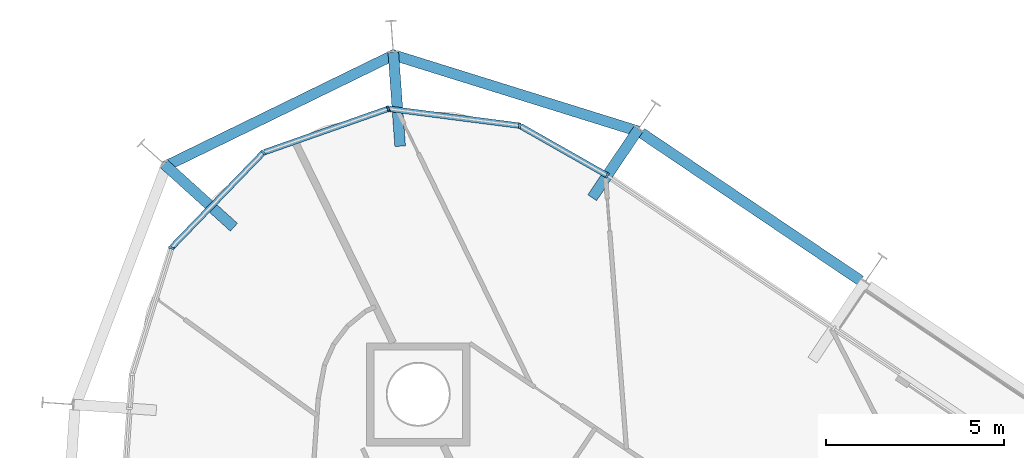
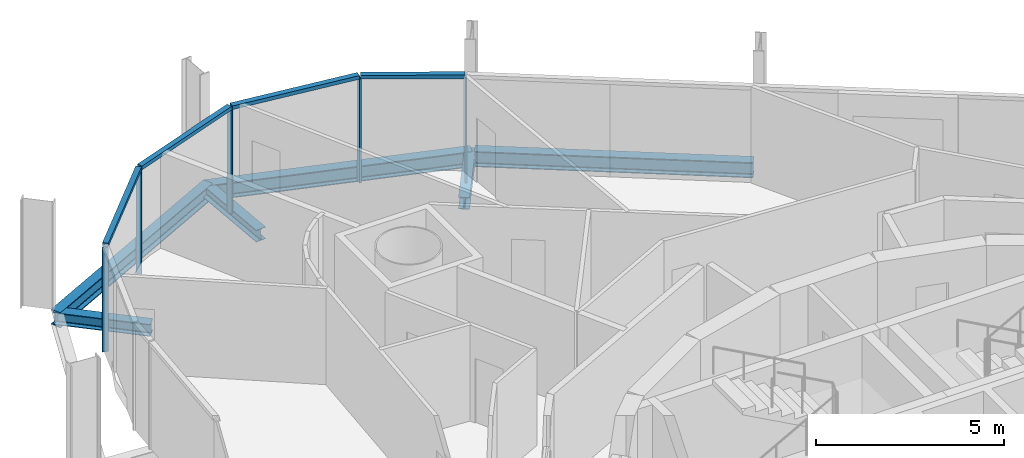
# One storey, part 8 of 17: 9 members, 6 beams, 1 element without a shape of its own.
"""IFC4 building model written with IfcOpenShell, lengths in metres."""

import ifcopenshell
import ifcopenshell.guid

model = None  # the IFC model being written
_history = None  # IfcOwnerHistory: only IFC2X3 demands one
_inside = {}  # id of a spatial element -> (the spatial element, [elements in it])
_under = {}  # id of a project, library or spatial element -> (it, [spatial elements below it])
_declared = {}  # id of a project -> (the project, [libraries it declares])
_typed = {}  # id of a type object -> (the type object, [elements of that type])
_made_of = {}  # id of a material, layer set ... -> (it, [elements and type objects made of it])


def new_model(schema):
    """Start an empty IFC model of exactly this schema.

    Asked for "IFC4X3", IfcOpenShell would pick the latest addendum, in which some entities
    have other attributes; the version numbers below select the first issue.
    IFC2X3 requires an IfcOwnerHistory on every rooted entity: one is made here for all.
    """
    global model, _history
    if schema == "IFC4X3":
        model = ifcopenshell.file(schema_version=(4, 3, 0, 0))
    else:
        model = ifcopenshell.file(schema=schema)
    _inside.clear()
    _under.clear()
    _declared.clear()
    _typed.clear()
    _made_of.clear()
    _history = None
    if model.schema == "IFC2X3":
        org = make("IfcOrganization", Name="unknown")
        user = make(
            "IfcPersonAndOrganization",
            ThePerson=make("IfcPerson", FamilyName="unknown"),
            TheOrganization=org,
        )
        app = make(
            "IfcApplication",
            ApplicationDeveloper=org,
            Version="unknown",
            ApplicationFullName="unknown",
            ApplicationIdentifier="unknown",
        )
        _history = make(
            "IfcOwnerHistory",
            OwningUser=user,
            OwningApplication=app,
            ChangeAction="ADDED",
            CreationDate=0,
        )
    return model


def make(cls, **values):
    """One entity of the class cls with the attributes given. An attribute that is None is left unset."""
    return model.create_entity(
        cls, **{name: value for name, value in values.items() if value is not None}
    )


def rooted(cls, **values):
    """An entity with a GlobalId (a new one), such as an element, a storey or a relation."""
    return make(cls, GlobalId=ifcopenshell.guid.new(), OwnerHistory=_history, **values)


def si_unit(unit_type, name, prefix=None):
    """IfcSIUnit, for example si_unit("LENGTHUNIT", "METRE", prefix="MILLI")."""
    return make("IfcSIUnit", UnitType=unit_type, Prefix=prefix, Name=name)


def assignment(units):
    """IfcUnitAssignment: the units of a project."""
    return None if units is None else make("IfcUnitAssignment", Units=units)


def point(xyz):
    """IfcCartesianPoint."""
    return None if xyz is None else make("IfcCartesianPoint", Coordinates=xyz)


def direction(xyz):
    """IfcDirection."""
    return None if xyz is None else make("IfcDirection", DirectionRatios=xyz)


def frame(location, z_axis=None, x_axis=None):
    """IfcAxis2Placement3D, a coordinate frame: its origin and axes. An axis left out is left unset."""
    return make(
        "IfcAxis2Placement3D",
        Location=point(location),
        Axis=direction(z_axis),
        RefDirection=direction(x_axis),
    )


def frame_2d(location, x_axis=None):
    """IfcAxis2Placement2D, a coordinate frame in the plane: its origin and x axis."""
    return make(
        "IfcAxis2Placement2D", Location=point(location), RefDirection=direction(x_axis)
    )


def origin():
    """The frame at (0, 0, 0) with its axes left unset."""
    return frame((0.0, 0.0, 0.0))


def origin_2d():
    """The frame at (0, 0) in the plane with its x axis left unset."""
    return frame_2d((0.0, 0.0))


def place(relative_to, where):
    """IfcLocalPlacement: puts the frame where relative to a parent placement (None: the world)."""
    return make(
        "IfcLocalPlacement", PlacementRelTo=relative_to, RelativePlacement=where
    )


def context(
    kind, dimensions, precision=None, world=None, true_north=None, identifier=None
):
    """IfcGeometricRepresentationContext, for example the 3D "Model" context."""
    return make(
        "IfcGeometricRepresentationContext",
        ContextIdentifier=identifier,
        ContextType=kind,
        CoordinateSpaceDimension=dimensions,
        Precision=precision,
        WorldCoordinateSystem=world,
        TrueNorth=true_north,
    )


def subcontext(parent, identifier, kind, view, scale=None):
    """IfcGeometricRepresentationSubContext, for example "Body" below "Model"."""
    return make(
        "IfcGeometricRepresentationSubContext",
        ContextIdentifier=identifier,
        ContextType=kind,
        ParentContext=parent,
        TargetScale=scale,
        TargetView=view,
    )


def project(units=None, contexts=None):
    """IfcProject with its units and contexts."""
    return rooted(
        "IfcProject",
        Name="project",
        RepresentationContexts=contexts,
        UnitsInContext=assignment(units),
    )


def spatial(cls, under=None, at=None, **own):
    """A site, building, storey or space (cls), placed at a placement, below another one or the project."""
    s = rooted(cls, ObjectPlacement=at, **own)
    if under is not None:
        _under.setdefault(under.id(), (under, []))[1].append(s)
    return s


def profile(cls, at=None, kind="AREA", **sizes):
    """A parametric profile (cls). Its sizes go by their IFC names, for example OverallWidth=200.0."""
    return make(cls, ProfileType=kind, Position=at, **sizes)


def rectangle(**sizes):
    """IfcRectangleProfileDef."""
    return profile("IfcRectangleProfileDef", **sizes)


def i_section(**sizes):
    """IfcIShapeProfileDef."""
    return profile("IfcIShapeProfileDef", **sizes)


def extrude(swept, where, along, depth):
    """IfcExtrudedAreaSolid: the profile swept, set in the frame where, extruded along a direction by depth."""
    return make(
        "IfcExtrudedAreaSolid",
        SweptArea=swept,
        Position=where,
        ExtrudedDirection=direction(along),
        Depth=depth,
    )


def shape(context_of_items, identifier, shape_type, items):
    """IfcShapeRepresentation: the items that make up one representation, for example the "Body"."""
    return make(
        "IfcShapeRepresentation",
        ContextOfItems=context_of_items,
        RepresentationIdentifier=identifier,
        RepresentationType=shape_type,
        Items=items,
    )


def material(Name=None, Category=None):
    """IfcMaterial."""
    return make("IfcMaterial", Name=Name, Category=Category)


def layer(
    of_material, thickness, ventilated=None, Name=None, Category=None, Priority=None
):
    """IfcMaterialLayer: one layer of a wall or slab, of a material (None: an air gap)."""
    return make(
        "IfcMaterialLayer",
        Material=of_material,
        LayerThickness=thickness,
        IsVentilated=ventilated,
        Name=Name,
        Category=Category,
        Priority=Priority,
    )


def layer_set(layers, Name=None):
    """IfcMaterialLayerSet."""
    return make("IfcMaterialLayerSet", MaterialLayers=layers, LayerSetName=Name)


def material_profile(
    of_material, cross_section, Name=None, Category=None, Priority=None
):
    """IfcMaterialProfile: a cross section and its material."""
    return make(
        "IfcMaterialProfile",
        Name=Name,
        Material=of_material,
        Profile=cross_section,
        Priority=Priority,
        Category=Category,
    )


def profile_set(profiles, Name=None, composite=None):
    """IfcMaterialProfileSet."""
    return make(
        "IfcMaterialProfileSet",
        Name=Name,
        MaterialProfiles=profiles,
        CompositeProfile=composite,
    )


def made_of(thing, what):
    """Note that an element or type object is made of a material, layer set ...; save() writes the relation."""
    if what is not None:
        _made_of.setdefault(what.id(), (what, []))[1].append(thing)
    return thing


def type_object(cls, material=None, **own):
    """A type object (cls), such as IfcWallType, which elements share."""
    return made_of(rooted(cls, **own), material)


def element(
    cls,
    number,
    at=None,
    inside=None,
    cuts=None,
    type_object=None,
    material=None,
    context=None,
    identifier="Body",
    shape_type=None,
    held_by="IfcProductDefinitionShape",
    body=None,
    shapes=None,
    **own,
):
    """One element of the class cls, such as IfcWall. Its Tag is "e" and its number.

    at: its placement. inside: the storey or other place that contains it. cuts: it is an
    opening in that element (IfcRelVoidsElement). A single representation is given by context,
    identifier, shape_type and body (its items); several are given by shapes. held_by: the class
    of the entity that holds the representations. save() writes the other relations.
    """
    e = rooted(cls, Tag="e%d" % number, ObjectPlacement=at, **own)
    if body is not None:
        shapes = [shape(context, identifier, shape_type, body)]
    if shapes is not None:
        e.Representation = make(held_by, Representations=shapes)
    if inside is not None:
        _inside.setdefault(inside.id(), (inside, []))[1].append(e)
    if cuts is not None:
        rooted(
            "IfcRelVoidsElement", RelatingBuildingElement=cuts, RelatedOpeningElement=e
        )
    if type_object is not None:
        _typed.setdefault(type_object.id(), (type_object, []))[1].append(e)
    return made_of(e, material)


def aggregate(whole, parts):
    """IfcRelAggregates: a whole, such as a stair, and the parts it consists of."""
    return rooted("IfcRelAggregates", RelatingObject=whole, RelatedObjects=parts)


def save(model, path):
    """Write the relations noted so far, then the file.

    IfcRelAggregates (storeys below a building ...), IfcRelContainedInSpatialStructure (elements
    in a storey), IfcRelDefinesByType, IfcRelAssociatesMaterial and IfcRelDeclares: one each for
    every whole, place, type object, material and project.
    """
    for whole, parts in _under.values():
        aggregate(whole, parts)
    for where, things in _inside.values():
        rooted(
            "IfcRelContainedInSpatialStructure",
            RelatedElements=things,
            RelatingStructure=where,
        )
    for kind, things in _typed.values():
        rooted("IfcRelDefinesByType", RelatedObjects=things, RelatingType=kind)
    for what, things in _made_of.values():
        rooted("IfcRelAssociatesMaterial", RelatedObjects=things, RelatingMaterial=what)
    for by, libraries in _declared.values():
        rooted("IfcRelDeclares", RelatingContext=by, RelatedDefinitions=libraries)
    model.write(path)


model = new_model("IFC4")

# Units and contexts
model_context = context("Model", 3, precision=1e-05, world=origin(), true_north=direction((0.0, 1.0)))
body_context = subcontext(model_context, "Body", "Model", "MODEL_VIEW")
ifc_project = project(units=[si_unit("LENGTHUNIT", "METRE"), si_unit("AREAUNIT", "SQUARE_METRE"), si_unit("VOLUMEUNIT", "CUBIC_METRE"), si_unit("PLANEANGLEUNIT", "RADIAN"), si_unit("MASSUNIT", "GRAM", prefix="KILO")], contexts=[model_context])

# Site, building, storey
site_placement = place(None, origin())
site = spatial("IfcSite", under=ifc_project, at=site_placement, CompositionType="ELEMENT")
building_placement = place(site_placement, origin())
building = spatial("IfcBuilding", under=site, at=building_placement, Name="Spindle Arch Residences", CompositionType="ELEMENT")
storey_placement = place(building_placement, frame((0.0, 0.0, 212.89990234375)))
storey = spatial("IfcBuildingStorey", under=building, at=storey_placement, Name="L54", CompositionType="ELEMENT", Elevation=212.89990234375)

# Curtain wall, members
ifc_material_1 = material(Name="Aluminium bronze unitised frame with tinted glass", Category="aluminium")
ifc_layer = layer(ifc_material_1, 0.159912109375)
ifc_layer_set = layer_set([ifc_layer], Name="CW-D corner wall on the fillet arcs")
curtain_wall_type = type_object("IfcCurtainWallType", Name="CW-D corner wall on the fillet arcs", PredefinedType="NOTDEFINED", material=ifc_layer_set)
curtain_wall_placement = place(storey_placement, origin())
curtain_wall = element("IfcCurtainWall", 1, at=curtain_wall_placement, inside=storey, type_object=curtain_wall_type, Name="CW-D L54 run 3", PredefinedType="NOTDEFINED")
ifc_material_2 = material(Name="Aluminium bronze anodised mullion", Category="aluminium")
ifc_material_profile_1 = material_profile(ifc_material_2, rectangle(XDim=0.159912109375, YDim=0.06005859375, at=origin_2d()), Name="MU 60x160")
ifc_profile_set_1 = profile_set([ifc_material_profile_1], Name="Aluminium bronze anodised mullion")
member_type_1 = type_object("IfcMemberType", Name="Bronze mullion 60x160", PredefinedType="MULLION", material=ifc_profile_set_1)
member_1_placement = place(storey_placement, frame((-3.608642578125, 24.46044921875, -0.3798828125), z_axis=(0.0, 0.0, 1.0), x_axis=(-0.493864780547, -0.86953871595, 0.0)))
member_1 = element("IfcMember", 2, at=member_1_placement, type_object=member_type_1, Name="CW-D mullion 00", PredefinedType="MULLION", context=body_context, shape_type="SweptSolid", body=[
    extrude(rectangle(XDim=0.159912109375, YDim=0.06005859375, at=origin_2d()), origin(), (0.0, 0.0, 1.0), 3.3798828125),
])
member_2_placement = place(storey_placement, frame((-6.07421875, 25.86083984375, -0.3798828125), z_axis=(0.0, 0.0, 1.0), x_axis=(-0.127641651888, -0.991820351023, 0.0)))
member_2 = element("IfcMember", 3, at=member_2_placement, type_object=member_type_1, Name="CW-D mullion 01", PredefinedType="MULLION", context=body_context, shape_type="SweptSolid", body=[
    extrude(rectangle(XDim=0.159912109375, YDim=0.06005859375, at=origin_2d()), origin(), (0.0, 0.0, 1.0), 3.3798828125),
])
member_3_placement = place(storey_placement, frame((-9.7705078125, 26.336669921875, -0.3798828125), z_axis=(0.0, 0.0, 1.0), x_axis=(0.331063412445, -0.943608508302, 0.0)))
member_3 = element("IfcMember", 4, at=member_3_placement, type_object=member_type_1, Name="CW-D mullion 02", PredefinedType="MULLION", context=body_context, shape_type="SweptSolid", body=[
    extrude(rectangle(XDim=0.159912109375, YDim=0.06005859375, at=origin_2d()), origin(), (0.0, 0.0, 1.0), 3.3798828125),
])
member_4_placement = place(storey_placement, frame((-13.287109375, 25.102783203125, -0.3798828125), z_axis=(0.0, 0.0, 1.0), x_axis=(0.719339801939, -0.694658368802, 0.0)))
member_4 = element("IfcMember", 5, at=member_4_placement, type_object=member_type_1, Name="CW-D mullion 03", PredefinedType="MULLION", context=body_context, shape_type="SweptSolid", body=[
    extrude(rectangle(XDim=0.159912109375, YDim=0.06005859375, at=origin_2d()), origin(), (0.0, 0.0, 1.0), 3.3798828125),
])
member_5_placement = place(storey_placement, frame((-15.8759765625, 22.421875, -0.3798828125), z_axis=(0.0, 0.0, 1.0), x_axis=(0.954587634064, -0.297930275218, 0.0)))
member_5 = element("IfcMember", 6, at=member_5_placement, type_object=member_type_1, Name="CW-D mullion 04", PredefinedType="MULLION", context=body_context, shape_type="SweptSolid", body=[
    extrude(rectangle(XDim=0.159912109375, YDim=0.06005859375, at=origin_2d()), origin(), (0.0, 0.0, 1.0), 3.3798828125),
])
ifc_material_3 = material(Name="Aluminium bronze anodised transom", Category="aluminium")
ifc_material_profile_2 = material_profile(ifc_material_3, rectangle(XDim=0.159912109375, YDim=0.1201171875, at=origin_2d()), Name="TR 120x160")
ifc_profile_set_2 = profile_set([ifc_material_profile_2], Name="Aluminium bronze anodised transom")
member_type_2 = type_object("IfcMemberType", Name="Bronze transom 120x160", PredefinedType="USERDEFINED", material=ifc_profile_set_2)
member_6_placement = place(storey_placement, frame((-3.634521484375, 24.475341796875, 3.06005859375), z_axis=(-0.869571592644, 0.493806890664, 0.0), x_axis=(-0.493806890664, -0.869571592644, 0.0)))
member_6 = element("IfcMember", 7, at=member_6_placement, type_object=member_type_2, Name="CW-D transom 00", ObjectType="TRANSOM", PredefinedType="USERDEFINED", context=body_context, shape_type="SweptSolid", body=[
    extrude(rectangle(XDim=0.159912109375, YDim=0.1201171875, at=origin_2d()), origin(), (0.0, 0.0, 1.0), 2.775634765625),
])
member_7_placement = place(storey_placement, frame((-6.10400390625, 25.86474609375, 3.06005859375), z_axis=(-0.991820609669, 0.127639642101, 0.0), x_axis=(-0.127639642101, -0.991820609669, 0.0)))
member_7 = element("IfcMember", 8, at=member_7_placement, type_object=member_type_2, Name="CW-D transom 01", ObjectType="TRANSOM", PredefinedType="USERDEFINED", context=body_context, shape_type="SweptSolid", body=[
    extrude(rectangle(XDim=0.159912109375, YDim=0.1201171875, at=origin_2d()), origin(), (0.0, 0.0, 1.0), 3.666748046875),
])
member_8_placement = place(storey_placement, frame((-9.798828125, 26.32666015625, 3.06005859375), z_axis=(-0.943613119154, -0.331050270141, 0.0), x_axis=(0.331050270141, -0.943613119154, 0.0)))
member_8 = element("IfcMember", 9, at=member_8_placement, type_object=member_type_2, Name="CW-D transom 02", ObjectType="TRANSOM", PredefinedType="USERDEFINED", context=body_context, shape_type="SweptSolid", body=[
    extrude(rectangle(XDim=0.159912109375, YDim=0.1201171875, at=origin_2d()), origin(), (0.0, 0.0, 1.0), 3.666748046875),
])
member_9_placement = place(storey_placement, frame((-13.307861328125, 25.081298828125, 3.06005859375), z_axis=(-0.694647982093, -0.719349832122, 0.0), x_axis=(0.719349832122, -0.694647982093, 0.0)))
member_9 = element("IfcMember", 10, at=member_9_placement, type_object=member_type_2, Name="CW-D transom 03", ObjectType="TRANSOM", PredefinedType="USERDEFINED", context=body_context, shape_type="SweptSolid", body=[
    extrude(rectangle(XDim=0.159912109375, YDim=0.1201171875, at=origin_2d()), origin(), (0.0, 0.0, 1.0), 3.666748046875),
])
aggregate(curtain_wall, [member_1, member_6, member_2, member_7, member_3, member_8, member_4, member_9, member_5])

# Beams
ifc_material_4 = material(Name="Steel S460ML, intumescent coating R 120", Category="steel")
ifc_material_profile_3 = material_profile(ifc_material_4, i_section(OverallWidth=0.300048828125, OverallDepth=0.5, WebThickness=0.014404296875, FlangeThickness=0.028076171875, FilletRadius=0.027099609375, at=origin_2d()), Name="HEB 500")
ifc_profile_set_3 = profile_set([ifc_material_profile_3], Name="Steel S460ML, intumescent coating R 120")
beam_type_1 = type_object("IfcBeamType", Name="Exoskeleton edge beam HEB 500", PredefinedType="BEAM", material=ifc_profile_set_3)
beam_1_placement = place(storey_placement, frame((3.517578125, 21.499267578125, -0.6298828125), z_axis=(-0.829031763913, 0.55920151504, 0.0), x_axis=(-0.55920151504, -0.829031763913, 0.0)))
element("IfcBeam", 11, at=beam_1_placement, inside=storey, type_object=beam_type_1, Name="Exoskeleton edge beam 9", PredefinedType="BEAM", context=body_context, shape_type="SweptSolid", body=[
    extrude(i_section(OverallWidth=0.300048828125, OverallDepth=0.5, WebThickness=0.014404296875, FlangeThickness=0.028076171875, FilletRadius=0.027099609375, at=origin_2d()), origin(), (0.0, 0.0, 1.0), 7.433837890625),
])
beam_2_placement = place(storey_placement, frame((-2.729248046875, 25.7001953125, -0.6298828125), z_axis=(-0.954689668885, 0.297603152072, 0.0), x_axis=(-0.297603152072, -0.954689668885, 0.0)))
element("IfcBeam", 12, at=beam_2_placement, inside=storey, type_object=beam_type_1, Name="Exoskeleton edge beam 10", PredefinedType="BEAM", context=body_context, shape_type="SweptSolid", body=[
    extrude(i_section(OverallWidth=0.300048828125, OverallDepth=0.5, WebThickness=0.014404296875, FlangeThickness=0.028076171875, FilletRadius=0.027099609375, at=origin_2d()), origin(), (0.0, 0.0, 1.0), 7.263427734375),
])
beam_3_placement = place(storey_placement, frame((-9.563720703125, 27.876708984375, -0.6298828125), z_axis=(-0.89878236333, -0.438395099616, 0.0), x_axis=(0.438395099616, -0.89878236333, 0.0)))
element("IfcBeam", 13, at=beam_3_placement, inside=storey, type_object=beam_type_1, Name="Exoskeleton edge beam 11", PredefinedType="BEAM", context=body_context, shape_type="SweptSolid", body=[
    extrude(i_section(OverallWidth=0.300048828125, OverallDepth=0.5, WebThickness=0.014404296875, FlangeThickness=0.028076171875, FilletRadius=0.027099609375, at=origin_2d()), origin(), (0.0, 0.0, 1.0), 7.2490234375),
])
ifc_material_5 = material(Name="Steel S460ML, intumescent coating R 120", Category="steel")
ifc_material_profile_4 = material_profile(ifc_material_5, i_section(OverallWidth=0.300048828125, OverallDepth=0.389892578125, WebThickness=0.010986328125, FlangeThickness=0.01904296875, FilletRadius=0.027099609375, at=origin_2d()), Name="HEA 400")
ifc_profile_set_4 = profile_set([ifc_material_profile_4], Name="Steel S460ML, intumescent coating R 120")
beam_type_2 = type_object("IfcBeamType", Name="Floor outrigger HEA 400", PredefinedType="BEAM", material=ifc_profile_set_4)
beam_4_placement = place(storey_placement, frame((-2.730712890625, 25.761962890625, -0.574951171875), z_axis=(-0.559170171593, -0.829052904947, 0.0), x_axis=(0.829052904947, -0.559170171593, 0.0)))
element("IfcBeam", 14, at=beam_4_placement, inside=storey, type_object=beam_type_2, Name="Floor outrigger 10", PredefinedType="BEAM", context=body_context, shape_type="SweptSolid", body=[
    extrude(i_section(OverallWidth=0.300048828125, OverallDepth=0.389892578125, WebThickness=0.010986328125, FlangeThickness=0.01904296875, FilletRadius=0.027099609375, at=origin_2d()), origin(), (0.0, 0.0, 1.0), 2.32763671875),
])
for number, where, z_axis, x_axis, name in (
    (15, (-9.62890625, 27.92529296875, -0.574951171875), (0.072870594007, -0.997341404199, 0.0), (0.997341404199, 0.072870594007, 0.0), "Floor outrigger 11"),
    (16, (-16.0771484375, 24.780029296875, -0.574951171875), (0.741072898018, -0.671424574932, 0.0), (0.671424574932, 0.741072898018, 0.0), "Floor outrigger 12"),
):
    element("IfcBeam", number, at=place(storey_placement, frame(where, z_axis=z_axis, x_axis=x_axis)), inside=storey, type_object=beam_type_2, Name=name, PredefinedType="BEAM", context=body_context, shape_type="SweptSolid", body=[
        extrude(i_section(OverallWidth=0.300048828125, OverallDepth=0.389892578125, WebThickness=0.010986328125, FlangeThickness=0.01904296875, FilletRadius=0.027099609375, at=origin_2d()), origin(), (0.0, 0.0, 1.0), 2.650146484375),
    ])

save(model, "model.ifc")
